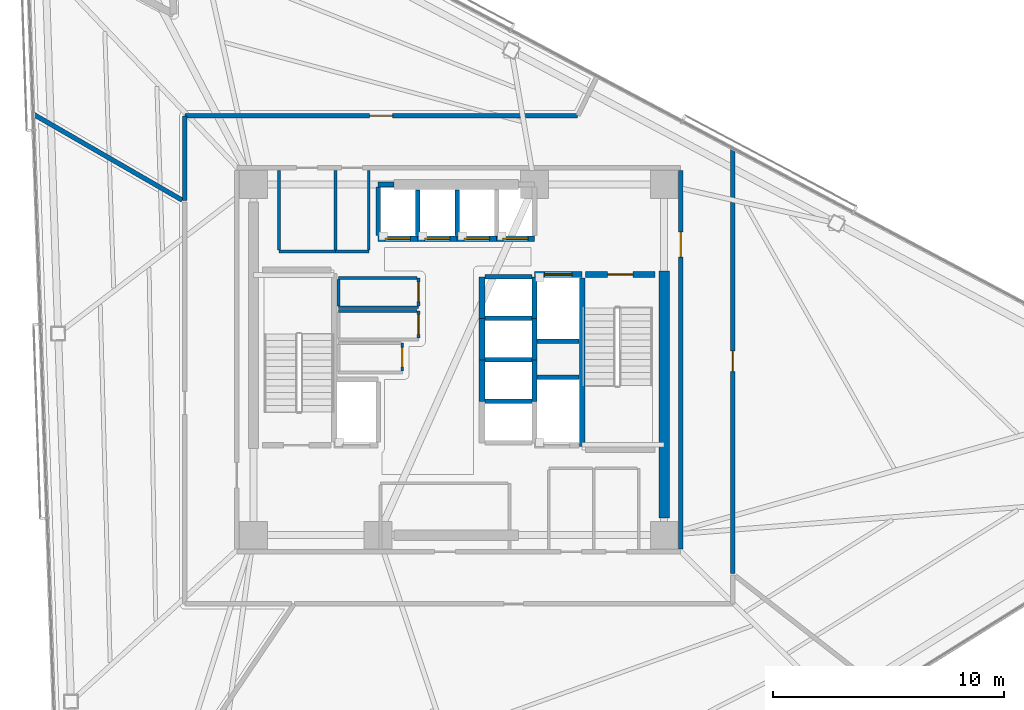
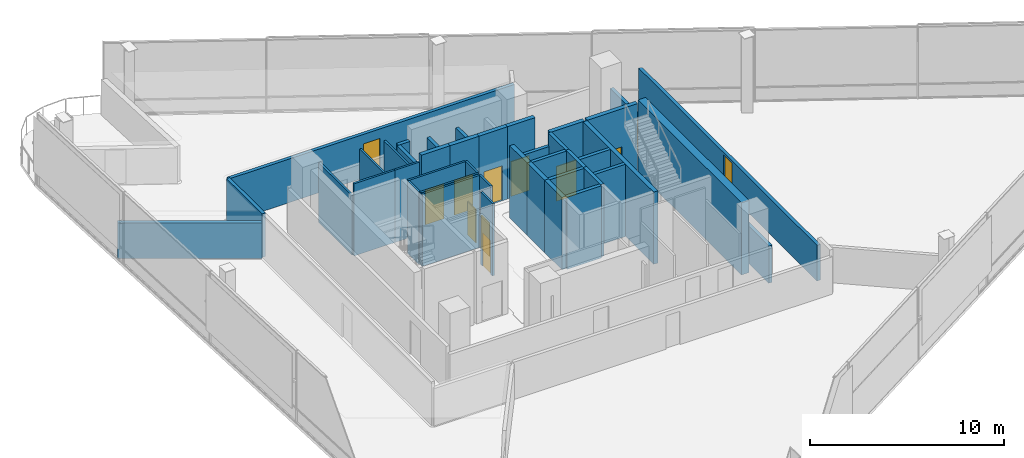
# One storey, part 13 of 19: 41 walls, 12 doors, 12 openings.
"""IFC4 building model written with IfcOpenShell, lengths in metres."""

from ifc_helpers import new_model, si_unit, direction, frame, frame_2d, origin, place, context, subcontext, project, spatial, rectangle, extrude, material, layer, layer_set, type_object, element, fill, save


model = new_model("IFC4")

# Units and contexts
model_context = context("Model", 3, precision=1e-05, world=origin(), true_north=direction((0.0, 1.0)))
body_context = subcontext(model_context, "Body", "Model", "MODEL_VIEW")
ifc_project = project(units=[si_unit("LENGTHUNIT", "METRE"), si_unit("AREAUNIT", "SQUARE_METRE"), si_unit("VOLUMEUNIT", "CUBIC_METRE"), si_unit("PLANEANGLEUNIT", "RADIAN"), si_unit("MASSUNIT", "GRAM", prefix="KILO")], contexts=[model_context])

# Site, building, storey
site_placement = place(None, origin())
site = spatial("IfcSite", under=ifc_project, at=site_placement, CompositionType="ELEMENT")
building_placement = place(site_placement, origin())
building = spatial("IfcBuilding", under=site, at=building_placement, Name="Tharavind Bronze Gate", CompositionType="ELEMENT")
storey_placement = place(building_placement, frame((0.0, 0.0, 160.39990234375)))
storey = spatial("IfcBuildingStorey", under=building, at=storey_placement, Name="L41", CompositionType="ELEMENT", Elevation=160.39990234375)

# Wall, opening, door
ifc_material_1 = material(Name="Aerated Concrete Block", Category="concrete")
ifc_layer_1 = layer(ifc_material_1, 0.199951171875)
ifc_layer_set_1 = layer_set([ifc_layer_1], Name="Aerated Concrete Block")
wall_type_1 = type_object("IfcWallType", Name="FIRE RATED PARTITION 200", PredefinedType="PARTITIONING", material=ifc_layer_set_1)
wall_1_placement = place(storey_placement, frame((9.6201171875, -8.199951171875, 0.0), z_axis=(0.0, 0.0, 1.0), x_axis=(0.0, 1.0, 0.0)))
wall_1 = element("IfcWall", 1, at=wall_1_placement, inside=storey, type_object=wall_type_1, Name="L41 east core corridor wall", PredefinedType="PARTITIONING", context=body_context, shape_type="SweptSolid", body=[
    extrude(rectangle(XDim=16.39990234375, YDim=0.199951171875, at=frame_2d((8.199951171875, 0.0))), origin(), (0.0, 0.0, 1.0), 2.35009765625),
])
opening_1_placement = place(wall_1_placement, frame((12.64990234375, 0.0, 0.0)))
opening_1 = element("IfcOpeningElement", 2, at=opening_1_placement, cuts=wall_1, Name="Opening ID01", PredefinedType="OPENING", context=body_context, shape_type="SweptSolid", body=[
    extrude(rectangle(XDim=1.10009765625, YDim=2.14990234375, at=frame_2d((0.550048828125, 1.074951171875))), frame((0.0, 0.11009765625, 0.0), z_axis=(0.0, -1.0, 0.0), x_axis=(1.0, 0.0, 0.0)), (0.0, 0.0, 1.0), 0.219951171875),
])
ifc_material_2 = material(Name="Fire-Rated Steel", Category="steel")
door_type_1 = type_object("IfcDoorType", Name="STAIR CORE FIRE DOOR 1100X2150", OperationType="SINGLE_SWING_LEFT", PredefinedType="DOOR", material=ifc_material_2)
door_1_placement = place(opening_1_placement, frame((1.10009765625, 0.0, 0.0), z_axis=(0.0, 0.0, 1.0), x_axis=(-1.0, 0.0, 0.0)))
door_1 = element("IfcDoor", 3, at=door_1_placement, inside=storey, type_object=door_type_1, Name="L41 north east stair lobby fire door", OperationType="SINGLE_SWING_LEFT", OverallHeight=2.14990234375, OverallWidth=1.10009765625, PredefinedType="DOOR", context=body_context, shape_type="SweptSolid", body=[
    extrude(rectangle(XDim=1.10009765625, YDim=2.14990234375, at=frame_2d((0.550048828125, 1.074951171875))), frame((0.0, 0.02490234375, 0.0), z_axis=(0.0, -1.0, 0.0), x_axis=(1.0, 0.0, 0.0)), (0.0, 0.0, 1.0), 0.050048828125),
])
fill(opening_1, door_1)

wall_2_placement = place(storey_placement, frame((5.14453125, 10.580078125, 0.0), z_axis=(0.0, 0.0, 1.0), x_axis=(-1.0, 0.0, 0.0)))
wall_2 = element("IfcWall", 4, at=wall_2_placement, inside=storey, type_object=wall_type_1, Name="L41 Innovation Maker Lab partition", PredefinedType="PARTITIONING", context=body_context, shape_type="SweptSolid", body=[
    extrude(rectangle(XDim=17.02392578125, YDim=0.199951171875, at=frame_2d((8.511962890625, 0.0))), origin(), (0.0, 0.0, 1.0), 2.75),
])
opening_2_placement = place(wall_2_placement, frame((8.011962890625, 0.0, 0.0)))
opening_2 = element("IfcOpeningElement", 5, at=opening_2_placement, cuts=wall_2, Name="Opening ID04", PredefinedType="OPENING", context=body_context, shape_type="SweptSolid", body=[
    extrude(rectangle(XDim=1.0, YDim=2.14990234375, at=frame_2d((0.5, 1.074951171875))), frame((0.0, 0.11009765625, 0.0), z_axis=(0.0, -1.0, 0.0), x_axis=(1.0, 0.0, 0.0)), (0.0, 0.0, 1.0), 0.219951171875),
])
ifc_material_3 = material(Name="Bronze Framed Acoustic Timber", Category="wood")
door_type_2 = type_object("IfcDoorType", Name="OFFICE TENANCY DOOR 1000X2150", OperationType="SINGLE_SWING_RIGHT", PredefinedType="DOOR", material=ifc_material_3)
door_2_placement = place(opening_2_placement, origin())
door_2 = element("IfcDoor", 6, at=door_2_placement, inside=storey, type_object=door_type_2, Name="L41 Innovation Maker Lab door", OperationType="SINGLE_SWING_RIGHT", OverallHeight=2.14990234375, OverallWidth=1.0, PredefinedType="DOOR", context=body_context, shape_type="SweptSolid", body=[
    extrude(rectangle(XDim=1.0, YDim=2.14990234375, at=frame_2d((0.5, 1.074951171875))), frame((0.0, 0.02490234375, 0.0), z_axis=(0.0, -1.0, 0.0), x_axis=(1.0, 0.0, 0.0)), (0.0, 0.0, 1.0), 0.050048828125),
])
fill(opening_2, door_2)

# Walls
wall_3_placement = place(storey_placement, frame((-11.8798828125, 10.579345703125, 0.0), z_axis=(0.0, 0.0, 1.0), x_axis=(0.0, -1.0, 0.0)))
element("IfcWall", 7, at=wall_3_placement, inside=storey, type_object=wall_type_1, Name="L41 Innovation Maker Lab partition", PredefinedType="PARTITIONING", context=body_context, shape_type="SweptSolid", body=[
    extrude(rectangle(XDim=3.67724609375, YDim=0.199951171875, at=frame_2d((1.838623046875, 0.0))), origin(), (0.0, 0.0, 1.0), 2.75),
])
wall_4_placement = place(storey_placement, frame((-11.985107421875, 6.919677734375, 0.0), z_axis=(0.0, 0.0, 1.0), x_axis=(-0.866026817719, 0.499997550986, 0.0)))
element("IfcWall", 8, at=wall_4_placement, inside=storey, type_object=wall_type_1, Name="L41 Innovation Maker Lab partition", PredefinedType="PARTITIONING", context=body_context, shape_type="SweptSolid", body=[
    extrude(rectangle(XDim=7.45166015625, YDim=0.199951171875, at=frame_2d((3.725830078125, 0.0))), origin(), (0.0, 0.0, 1.0), 2.25),
])

# Wall, opening, door
wall_5_placement = place(storey_placement, frame((11.8798828125, -9.26953125, 0.0), z_axis=(0.0, 0.0, 1.0), x_axis=(0.0, 1.0, 0.0)))
wall_5 = element("IfcWall", 9, at=wall_5_placement, inside=storey, type_object=wall_type_1, Name="L41 Barista Tea Pantry partition", PredefinedType="PARTITIONING", context=body_context, shape_type="SweptSolid", body=[
    extrude(rectangle(XDim=18.42578125, YDim=0.199951171875, at=frame_2d((9.212890625, 0.0))), origin(), (0.0, 0.0, 1.0), 2.25),
])
opening_3_placement = place(wall_5_placement, frame((8.762939453125, 0.0, 0.0)))
opening_3 = element("IfcOpeningElement", 10, at=opening_3_placement, cuts=wall_5, Name="Opening ID07", PredefinedType="OPENING", context=body_context, shape_type="SweptSolid", body=[
    extrude(rectangle(XDim=0.89990234375, YDim=2.10009765625, at=frame_2d((0.449951171875, 1.050048828125))), frame((0.0, 0.11009765625, 0.0), z_axis=(0.0, -1.0, 0.0), x_axis=(1.0, 0.0, 0.0)), (0.0, 0.0, 1.0), 0.219951171875),
])
ifc_material_4 = material(Name="Galvanised Fire Steel", Category="steel")
door_type_3 = type_object("IfcDoorType", Name="PLANT AND RISER FIRE DOOR 900X2100", OperationType="SINGLE_SWING_LEFT", PredefinedType="DOOR", material=ifc_material_4)
door_3_placement = place(opening_3_placement, origin())
door_3 = element("IfcDoor", 11, at=door_3_placement, inside=storey, type_object=door_type_3, Name="L41 Barista Tea Pantry door", OperationType="SINGLE_SWING_LEFT", OverallHeight=2.10009765625, OverallWidth=0.89990234375, PredefinedType="DOOR", context=body_context, shape_type="SweptSolid", body=[
    extrude(rectangle(XDim=0.89990234375, YDim=2.10009765625, at=frame_2d((0.449951171875, 1.050048828125))), frame((0.0, 0.02490234375, 0.0), z_axis=(0.0, -1.0, 0.0), x_axis=(1.0, 0.0, 0.0)), (0.0, 0.0, 1.0), 0.050048828125),
])
fill(opening_3, door_3)

# Wall
ifc_material_5 = material(Name="Metal Stud Gypsum Partition", Category="gypsum")
ifc_layer_2 = layer(ifc_material_5, 0.1201171875)
ifc_layer_set_2 = layer_set([ifc_layer_2], Name="Metal Stud Gypsum Partition")
wall_type_2 = type_object("IfcWallType", Name="INTERIOR PARTITION WALL 120", PredefinedType="PARTITIONING", material=ifc_layer_set_2)
wall_6_placement = place(storey_placement, frame((-5.219970703125, 2.280029296875, 0.0), z_axis=(0.0, 0.0, 1.0), x_axis=(1.0, 0.0, 0.0)))
element("IfcWall", 12, at=wall_6_placement, inside=storey, type_object=wall_type_2, Name="L41 Housekeeping Linen Store partition 1", PredefinedType="PARTITIONING", context=body_context, shape_type="SweptSolid", body=[
    extrude(rectangle(XDim=3.469970703125, YDim=0.1201171875, at=frame_2d((1.73486328125, 0.0))), origin(), (0.0, 0.0, 1.0), 4.55517578125),
])

# Wall, opening, door
wall_7_placement = place(storey_placement, frame((-1.75, 2.344970703125, 0.0), z_axis=(0.0, 0.0, 1.0), x_axis=(0.0, 1.0, 0.0)))
wall_7 = element("IfcWall", 13, at=wall_7_placement, inside=storey, type_object=wall_type_2, Name="L41 Housekeeping Linen Store partition 2", PredefinedType="PARTITIONING", context=body_context, shape_type="SweptSolid", body=[
    extrude(rectangle(XDim=1.205078125, YDim=0.1201171875, at=frame_2d((0.6025390625, 0.0))), origin(), (0.0, 0.0, 1.0), 4.55517578125),
])
opening_4_placement = place(wall_7_placement, frame((0.177001953125, 0.0, 0.0)))
opening_4 = element("IfcOpeningElement", 14, at=opening_4_placement, cuts=wall_7, Name="Opening ID06", PredefinedType="OPENING", context=body_context, shape_type="SweptSolid", body=[
    extrude(rectangle(XDim=0.85009765625, YDim=2.10009765625, at=frame_2d((0.425048828125, 1.050048828125))), frame((0.0, 0.07005859375, 0.0), z_axis=(0.0, -1.0, 0.0), x_axis=(1.0, 0.0, 0.0)), (0.0, 0.0, 1.0), 0.1401171875),
])
ifc_material_6 = material(Name="Moisture-Resistant Timber", Category="wood")
door_type_4 = type_object("IfcDoorType", Name="BATHROOM PRIVACY DOOR 850X2100", OperationType="SINGLE_SWING_RIGHT", PredefinedType="DOOR", material=ifc_material_6)
door_4_placement = place(opening_4_placement, frame((0.85009765625, 0.0, 0.0), z_axis=(0.0, 0.0, 1.0), x_axis=(-1.0, 0.0, 0.0)))
door_4 = element("IfcDoor", 15, at=door_4_placement, inside=storey, type_object=door_type_4, Name="L41 Housekeeping Linen Store door", OperationType="SINGLE_SWING_RIGHT", OverallHeight=2.10009765625, OverallWidth=0.85009765625, PredefinedType="DOOR", context=body_context, shape_type="SweptSolid", body=[
    extrude(rectangle(XDim=0.85009765625, YDim=2.10009765625, at=frame_2d((0.425048828125, 1.050048828125))), frame((0.0, 0.02490234375, 0.0), z_axis=(0.0, -1.0, 0.0), x_axis=(1.0, 0.0, 0.0)), (0.0, 0.0, 1.0), 0.050048828125),
])
fill(opening_4, door_4)

# Walls
wall_8_placement = place(storey_placement, frame((-1.81494140625, 3.550048828125, 0.0), z_axis=(0.0, 0.0, 1.0), x_axis=(-1.0, 0.0, 0.0)))
element("IfcWall", 16, at=wall_8_placement, inside=storey, type_object=wall_type_2, Name="L41 Housekeeping Linen Store partition 3", PredefinedType="PARTITIONING", context=body_context, shape_type="SweptSolid", body=[
    extrude(rectangle(XDim=3.405029296875, YDim=0.1201171875, at=frame_2d((1.70263671875, 0.0))), origin(), (0.0, 0.0, 1.0), 4.55517578125),
])
wall_9_placement = place(storey_placement, frame((-5.219970703125, 3.485107421875, 0.0), z_axis=(0.0, 0.0, 1.0), x_axis=(0.0, -1.0, 0.0)))
element("IfcWall", 17, at=wall_9_placement, inside=storey, type_object=wall_type_2, Name="L41 Housekeeping Linen Store partition 4", PredefinedType="PARTITIONING", context=body_context, shape_type="SweptSolid", body=[
    extrude(rectangle(XDim=1.14013671875, YDim=0.1201171875, at=frame_2d((0.570068359375, 0.0))), origin(), (0.0, 0.0, 1.0), 4.55517578125),
])

# Wall, opening, door
wall_10_placement = place(storey_placement, frame((-1.75, 0.945068359375, 0.0), z_axis=(0.0, 0.0, 1.0), x_axis=(0.0, 1.0, 0.0)))
wall_10 = element("IfcWall", 18, at=wall_10_placement, inside=storey, type_object=wall_type_2, Name="L41 Comms Data Room partition 2", PredefinedType="PARTITIONING", context=body_context, shape_type="SweptSolid", body=[
    extrude(rectangle(XDim=1.175048828125, YDim=0.1201171875, at=frame_2d((0.58740234375, 0.0))), origin(), (0.0, 0.0, 1.0), 4.55517578125),
])
opening_5_placement = place(wall_10_placement, frame((0.1630859375, 0.0, 0.0)))
opening_5 = element("IfcOpeningElement", 19, at=opening_5_placement, cuts=wall_10, Name="Opening ID06", PredefinedType="OPENING", context=body_context, shape_type="SweptSolid", body=[
    extrude(rectangle(XDim=0.85009765625, YDim=2.10009765625, at=frame_2d((0.425048828125, 1.050048828125))), frame((0.0, 0.07005859375, 0.0), z_axis=(0.0, -1.0, 0.0), x_axis=(1.0, 0.0, 0.0)), (0.0, 0.0, 1.0), 0.1401171875),
])
door_5_placement = place(opening_5_placement, frame((0.85009765625, 0.0, 0.0), z_axis=(0.0, 0.0, 1.0), x_axis=(-1.0, 0.0, 0.0)))
door_5 = element("IfcDoor", 20, at=door_5_placement, inside=storey, type_object=door_type_4, Name="L41 Comms Data Room door", OperationType="SINGLE_SWING_RIGHT", OverallHeight=2.10009765625, OverallWidth=0.85009765625, PredefinedType="DOOR", context=body_context, shape_type="SweptSolid", body=[
    extrude(rectangle(XDim=0.85009765625, YDim=2.10009765625, at=frame_2d((0.425048828125, 1.050048828125))), frame((0.0, 0.02490234375, 0.0), z_axis=(0.0, -1.0, 0.0), x_axis=(1.0, 0.0, 0.0)), (0.0, 0.0, 1.0), 0.050048828125),
])
fill(opening_5, door_5)

# Wall
wall_11_placement = place(storey_placement, frame((-1.81494140625, 2.1201171875, 0.0), z_axis=(0.0, 0.0, 1.0), x_axis=(-1.0, 0.0, 0.0)))
element("IfcWall", 21, at=wall_11_placement, inside=storey, type_object=wall_type_2, Name="L41 Comms Data Room partition 3", PredefinedType="PARTITIONING", context=body_context, shape_type="SweptSolid", body=[
    extrude(rectangle(XDim=3.405029296875, YDim=0.1201171875, at=frame_2d((1.70263671875, 0.0))), origin(), (0.0, 0.0, 1.0), 4.55517578125),
])

# Wall, opening, door
wall_12_placement = place(storey_placement, frame((-2.449951171875, -0.485107421875, 0.0), z_axis=(0.0, 0.0, 1.0), x_axis=(0.0, 1.0, 0.0)))
wall_12 = element("IfcWall", 22, at=wall_12_placement, inside=storey, type_object=wall_type_2, Name="L41 Electrical Metering Store partition 2", PredefinedType="PARTITIONING", context=body_context, shape_type="SweptSolid", body=[
    extrude(rectangle(XDim=1.205078125, YDim=0.1201171875, at=frame_2d((0.6025390625, 0.0))), origin(), (0.0, 0.0, 1.0), 4.55517578125),
])
opening_6_placement = place(wall_12_placement, frame((0.177978515625, 0.0, 0.0)))
opening_6 = element("IfcOpeningElement", 23, at=opening_6_placement, cuts=wall_12, Name="Opening ID06", PredefinedType="OPENING", context=body_context, shape_type="SweptSolid", body=[
    extrude(rectangle(XDim=0.85009765625, YDim=2.10009765625, at=frame_2d((0.425048828125, 1.050048828125))), frame((0.0, 0.07005859375, 0.0), z_axis=(0.0, -1.0, 0.0), x_axis=(1.0, 0.0, 0.0)), (0.0, 0.0, 1.0), 0.1401171875),
])
door_6_placement = place(opening_6_placement, frame((0.85009765625, 0.0, 0.0), z_axis=(0.0, 0.0, 1.0), x_axis=(-1.0, 0.0, 0.0)))
door_6 = element("IfcDoor", 24, at=door_6_placement, inside=storey, type_object=door_type_4, Name="L41 Electrical Metering Store door", OperationType="SINGLE_SWING_RIGHT", OverallHeight=2.10009765625, OverallWidth=0.85009765625, PredefinedType="DOOR", context=body_context, shape_type="SweptSolid", body=[
    extrude(rectangle(XDim=0.85009765625, YDim=2.10009765625, at=frame_2d((0.425048828125, 1.050048828125))), frame((0.0, 0.02490234375, 0.0), z_axis=(0.0, -1.0, 0.0), x_axis=(1.0, 0.0, 0.0)), (0.0, 0.0, 1.0), 0.050048828125),
])
fill(opening_6, door_6)

# Walls
wall_13_placement = place(storey_placement, frame((-7.800048828125, 4.699951171875, 0.0), z_axis=(0.0, 0.0, 1.0), x_axis=(1.0, 0.0, 0.0)))
element("IfcWall", 25, at=wall_13_placement, inside=storey, type_object=wall_type_2, Name="L41 Electrical Metering Room partition 1", PredefinedType="PARTITIONING", context=body_context, shape_type="SweptSolid", body=[
    extrude(rectangle(XDim=2.449951171875, YDim=0.1201171875, at=frame_2d((1.22509765625, 0.0))), origin(), (0.0, 0.0, 1.0), 4.55517578125),
])
for number, where, z_axis, x_axis, name in (
    (26, (-5.35009765625, 4.764892578125, 0.0), (0.0, 0.0, 1.0), (0.0, 1.0, 0.0), "L41 Electrical Metering Room partition 2"),
    (27, (-7.800048828125, 8.215087890625, 0.0), (0.0, 0.0, 1.0), (0.0, -1.0, 0.0), "L41 Electrical Metering Room partition 4"),
):
    element("IfcWall", number, at=place(storey_placement, frame(where, z_axis=z_axis, x_axis=x_axis)), inside=storey, type_object=wall_type_2, Name=name, PredefinedType="PARTITIONING", context=body_context, shape_type="SweptSolid", body=[
        extrude(rectangle(XDim=3.4501953125, YDim=0.1201171875, at=frame_2d((1.72509765625, 0.0))), origin(), (0.0, 0.0, 1.0), 3.75),
    ])
wall_14_placement = place(storey_placement, frame((-5.35009765625, 4.699951171875, 0.0), z_axis=(0.0, 0.0, 1.0), x_axis=(1.0, 0.0, 0.0)))
element("IfcWall", 28, at=wall_14_placement, inside=storey, type_object=wall_type_2, Name="L41 Linen Cupboard partition 1", PredefinedType="PARTITIONING", context=body_context, shape_type="SweptSolid", body=[
    extrude(rectangle(XDim=1.4501953125, YDim=0.1201171875, at=frame_2d((0.72509765625, 0.0))), origin(), (0.0, 0.0, 1.0), 4.55517578125),
])
wall_15_placement = place(storey_placement, frame((-3.89990234375, 4.764892578125, 0.0), z_axis=(0.0, 0.0, 1.0), x_axis=(0.0, 1.0, 0.0)))
element("IfcWall", 29, at=wall_15_placement, inside=storey, type_object=wall_type_2, Name="L41 Linen Cupboard partition 2", PredefinedType="PARTITIONING", context=body_context, shape_type="SweptSolid", body=[
    extrude(rectangle(XDim=3.4501953125, YDim=0.1201171875, at=frame_2d((1.72509765625, 0.0))), origin(), (0.0, 0.0, 1.0), 3.75),
])
ifc_material_7 = material(Name="Concrete C50/60", Category="concrete")
ifc_layer_3 = layer(ifc_material_7, 0.25)
ifc_layer_set_3 = layer_set([ifc_layer_3], Name="Concrete C50/60")
wall_type_3 = type_object("IfcWallType", Name="RC CORE SHEAR WALL 250", PredefinedType="SHEAR", material=ifc_layer_set_3)
wall_16_placement = place(storey_placement, frame((5.35009765625, -3.75, 0.0), z_axis=(0.0, 0.0, 1.0), x_axis=(0.0, 1.0, 0.0)))
element("IfcWall", 30, at=wall_16_placement, inside=storey, type_object=wall_type_3, Name="L41 ST2 shaft west wall", PredefinedType="SHEAR", context=body_context, shape_type="SweptSolid", body=[
    extrude(rectangle(XDim=7.300048828125, YDim=0.25, at=frame_2d((3.64990234375, 0.0))), origin(), (0.0, 0.0, 1.0), 4.55517578125),
])

# Wall, opening, door
wall_17_placement = place(storey_placement, frame((5.5, 3.699951171875, 0.0), z_axis=(0.0, 0.0, 1.0), x_axis=(1.0, 0.0, 0.0)))
wall_17 = element("IfcWall", 31, at=wall_17_placement, inside=storey, type_object=wall_type_3, Name="L41 ST2 shaft north wall", PredefinedType="SHEAR", context=body_context, shape_type="SweptSolid", body=[
    extrude(rectangle(XDim=3.0, YDim=0.25, at=frame_2d((1.5, 0.0))), origin(), (0.0, 0.0, 1.0), 4.55517578125),
])
opening_7_placement = place(wall_17_placement, frame((0.949951171875, 0.0, 0.0)))
opening_7 = element("IfcOpeningElement", 32, at=opening_7_placement, cuts=wall_17, Name="Opening ID01", PredefinedType="OPENING", context=body_context, shape_type="SweptSolid", body=[
    extrude(rectangle(XDim=1.10009765625, YDim=2.14990234375, at=frame_2d((0.550048828125, 1.074951171875))), frame((0.0, 0.135, 0.0), z_axis=(0.0, -1.0, 0.0), x_axis=(1.0, 0.0, 0.0)), (0.0, 0.0, 1.0), 0.27),
])
door_7_placement = place(opening_7_placement, frame((1.10009765625, 0.0, 0.0), z_axis=(0.0, 0.0, 1.0), x_axis=(-1.0, 0.0, 0.0)))
door_7 = element("IfcDoor", 33, at=door_7_placement, inside=storey, type_object=door_type_1, Name="L41 exit stair ST2 fire door", OperationType="SINGLE_SWING_LEFT", OverallHeight=2.14990234375, OverallWidth=1.10009765625, PredefinedType="DOOR", context=body_context, shape_type="SweptSolid", body=[
    extrude(rectangle(XDim=1.10009765625, YDim=2.14990234375, at=frame_2d((0.550048828125, 1.074951171875))), frame((0.0, 0.02490234375, 0.0), z_axis=(0.0, -1.0, 0.0), x_axis=(1.0, 0.0, 0.0)), (0.0, 0.0, 1.0), 0.050048828125),
])
fill(opening_7, door_7)

wall_18_placement = place(storey_placement, frame((-3.5, 5.25, 0.0), z_axis=(0.0, 0.0, 1.0), x_axis=(1.0, 0.0, 0.0)))
wall_18 = element("IfcWall", 34, at=wall_18_placement, inside=storey, type_object=wall_type_3, Name="L41 lift PL5 shaft front wall", PredefinedType="SHEAR", context=body_context, shape_type="SweptSolid", body=[
    extrude(rectangle(XDim=1.71240234375, YDim=0.25, at=frame_2d((0.856201171875, 0.0))), origin(), (0.0, 0.0, 1.0), 4.55517578125),
])
opening_8_placement = place(wall_18_placement, frame((0.305908203125, 0.0, 0.0)))
opening_8 = element("IfcOpeningElement", 35, at=opening_8_placement, cuts=wall_18, Name="Opening LD01", PredefinedType="OPENING", context=body_context, shape_type="SweptSolid", body=[
    extrude(rectangle(XDim=1.10009765625, YDim=2.199951171875, at=frame_2d((0.550048828125, 1.10009765625))), frame((0.0, 0.135, 0.0), z_axis=(0.0, -1.0, 0.0), x_axis=(1.0, 0.0, 0.0)), (0.0, 0.0, 1.0), 0.27),
])
ifc_material_8 = material(Name="Brushed Bronze Stainless Steel", Category="steel")
door_type_5 = type_object("IfcDoorType", Name="LIFT LANDING SLIDING DOOR 1100X2200", OperationType="SLIDING_TO_LEFT", PredefinedType="DOOR", material=ifc_material_8)
door_8_placement = place(opening_8_placement, origin())
door_8 = element("IfcDoor", 36, at=door_8_placement, inside=storey, type_object=door_type_5, Name="L41 lift PL5 sliding landing door", OperationType="SLIDING_TO_LEFT", OverallHeight=2.199951171875, OverallWidth=1.10009765625, PredefinedType="DOOR", context=body_context, shape_type="SweptSolid", body=[
    extrude(rectangle(XDim=1.10009765625, YDim=2.199951171875, at=frame_2d((0.550048828125, 1.10009765625))), frame((0.0, 0.02490234375, 0.0), z_axis=(0.0, -1.0, 0.0), x_axis=(1.0, 0.0, 0.0)), (0.0, 0.0, 1.0), 0.050048828125),
])
fill(opening_8, door_8)

wall_19_placement = place(storey_placement, frame((-1.78759765625, 5.25, 0.0), z_axis=(0.0, 0.0, 1.0), x_axis=(1.0, 0.0, 0.0)))
wall_19 = element("IfcWall", 37, at=wall_19_placement, inside=storey, type_object=wall_type_3, Name="L41 lift PL6 shaft front wall", PredefinedType="SHEAR", context=body_context, shape_type="SweptSolid", body=[
    extrude(rectangle(XDim=1.712646484375, YDim=0.25, at=frame_2d((0.8564453125, 0.0))), origin(), (0.0, 0.0, 1.0), 4.55517578125),
])
opening_9_placement = place(wall_19_placement, frame((0.305908203125, 0.0, 0.0)))
opening_9 = element("IfcOpeningElement", 38, at=opening_9_placement, cuts=wall_19, Name="Opening LD01", PredefinedType="OPENING", context=body_context, shape_type="SweptSolid", body=[
    extrude(rectangle(XDim=1.10009765625, YDim=2.199951171875, at=frame_2d((0.550048828125, 1.10009765625))), frame((0.0, 0.135, 0.0), z_axis=(0.0, -1.0, 0.0), x_axis=(1.0, 0.0, 0.0)), (0.0, 0.0, 1.0), 0.27),
])
door_9_placement = place(opening_9_placement, origin())
door_9 = element("IfcDoor", 39, at=door_9_placement, inside=storey, type_object=door_type_5, Name="L41 lift PL6 sliding landing door", OperationType="SLIDING_TO_LEFT", OverallHeight=2.199951171875, OverallWidth=1.10009765625, PredefinedType="DOOR", context=body_context, shape_type="SweptSolid", body=[
    extrude(rectangle(XDim=1.10009765625, YDim=2.199951171875, at=frame_2d((0.550048828125, 1.10009765625))), frame((0.0, 0.02490234375, 0.0), z_axis=(0.0, -1.0, 0.0), x_axis=(1.0, 0.0, 0.0)), (0.0, 0.0, 1.0), 0.050048828125),
])
fill(opening_9, door_9)

wall_20_placement = place(storey_placement, frame((-0.074951171875, 5.25, 0.0), z_axis=(0.0, 0.0, 1.0), x_axis=(1.0, 0.0, 0.0)))
wall_20 = element("IfcWall", 40, at=wall_20_placement, inside=storey, type_object=wall_type_3, Name="L41 lift PL7 shaft front wall", PredefinedType="SHEAR", context=body_context, shape_type="SweptSolid", body=[
    extrude(rectangle(XDim=1.71240234375, YDim=0.25, at=frame_2d((0.856201171875, 0.0))), origin(), (0.0, 0.0, 1.0), 4.55517578125),
])
opening_10_placement = place(wall_20_placement, frame((0.305908203125, 0.0, 0.0)))
opening_10 = element("IfcOpeningElement", 41, at=opening_10_placement, cuts=wall_20, Name="Opening LD01", PredefinedType="OPENING", context=body_context, shape_type="SweptSolid", body=[
    extrude(rectangle(XDim=1.10009765625, YDim=2.199951171875, at=frame_2d((0.550048828125, 1.10009765625))), frame((0.0, 0.135, 0.0), z_axis=(0.0, -1.0, 0.0), x_axis=(1.0, 0.0, 0.0)), (0.0, 0.0, 1.0), 0.27),
])
door_10_placement = place(opening_10_placement, origin())
door_10 = element("IfcDoor", 42, at=door_10_placement, inside=storey, type_object=door_type_5, Name="L41 lift PL7 sliding landing door", OperationType="SLIDING_TO_LEFT", OverallHeight=2.199951171875, OverallWidth=1.10009765625, PredefinedType="DOOR", context=body_context, shape_type="SweptSolid", body=[
    extrude(rectangle(XDim=1.10009765625, YDim=2.199951171875, at=frame_2d((0.550048828125, 1.10009765625))), frame((0.0, 0.02490234375, 0.0), z_axis=(0.0, -1.0, 0.0), x_axis=(1.0, 0.0, 0.0)), (0.0, 0.0, 1.0), 0.050048828125),
])
fill(opening_10, door_10)

wall_21_placement = place(storey_placement, frame((1.637451171875, 5.25, 0.0), z_axis=(0.0, 0.0, 1.0), x_axis=(1.0, 0.0, 0.0)))
wall_21 = element("IfcWall", 43, at=wall_21_placement, inside=storey, type_object=wall_type_3, Name="L41 lift PL8 shaft front wall", PredefinedType="SHEAR", context=body_context, shape_type="SweptSolid", body=[
    extrude(rectangle(XDim=1.642578125, YDim=0.25, at=frame_2d((0.8212890625, 0.0))), origin(), (0.0, 0.0, 1.0), 4.55517578125),
])
opening_11_placement = place(wall_21_placement, frame((0.27099609375, 0.0, 0.0)))
opening_11 = element("IfcOpeningElement", 44, at=opening_11_placement, cuts=wall_21, Name="Opening LD01", PredefinedType="OPENING", context=body_context, shape_type="SweptSolid", body=[
    extrude(rectangle(XDim=1.10009765625, YDim=2.199951171875, at=frame_2d((0.550048828125, 1.10009765625))), frame((0.0, 0.135, 0.0), z_axis=(0.0, -1.0, 0.0), x_axis=(1.0, 0.0, 0.0)), (0.0, 0.0, 1.0), 0.27),
])
door_11_placement = place(opening_11_placement, origin())
door_11 = element("IfcDoor", 45, at=door_11_placement, inside=storey, type_object=door_type_5, Name="L41 lift PL8 sliding landing door", OperationType="SLIDING_TO_LEFT", OverallHeight=2.199951171875, OverallWidth=1.10009765625, PredefinedType="DOOR", context=body_context, shape_type="SweptSolid", body=[
    extrude(rectangle(XDim=1.10009765625, YDim=2.199951171875, at=frame_2d((0.550048828125, 1.10009765625))), frame((0.0, 0.02490234375, 0.0), z_axis=(0.0, -1.0, 0.0), x_axis=(1.0, 0.0, 0.0)), (0.0, 0.0, 1.0), 0.050048828125),
])
fill(opening_11, door_11)

# Walls
for number, where, z_axis, x_axis, name in (
    (46, (1.0, -1.800048828125, 0.0), (0.0, 0.0, 1.0), (0.0, 1.0, 0.0), "L41 lift PL10 shaft front wall"),
    (47, (1.0, 0.0, 0.0), (0.0, 0.0, 1.0), (0.0, 1.0, 0.0), "L41 lift PL11 shaft front wall"),
    (48, (1.0, 1.800048828125, 0.0), (0.0, 0.0, 1.0), (0.0, 1.0, 0.0), "L41 lift PL12 shaft front wall"),
):
    element("IfcWall", number, at=place(storey_placement, frame(where, z_axis=z_axis, x_axis=x_axis)), inside=storey, type_object=wall_type_3, Name=name, PredefinedType="SHEAR", context=body_context, shape_type="SweptSolid", body=[
        extrude(rectangle(XDim=1.800048828125, YDim=0.25, at=frame_2d((0.89990234375, 0.0))), origin(), (0.0, 0.0, 1.0), 4.55517578125),
    ])

# Wall, opening, door
wall_22_placement = place(storey_placement, frame((3.280029296875, 3.699951171875, 0.0), z_axis=(0.0, 0.0, 1.0), x_axis=(1.0, 0.0, 0.0)))
wall_22 = element("IfcWall", 49, at=wall_22_placement, inside=storey, type_object=wall_type_3, Name="L41 lift FFL2 shaft front wall", PredefinedType="SHEAR", context=body_context, shape_type="SweptSolid", body=[
    extrude(rectangle(XDim=2.070068359375, YDim=0.25, at=frame_2d((1.03515625, 0.0))), origin(), (0.0, 0.0, 1.0), 4.55517578125),
])
opening_12_placement = place(wall_22_placement, frame((0.43505859375, 0.0, 0.0)))
opening_12 = element("IfcOpeningElement", 50, at=opening_12_placement, cuts=wall_22, Name="Opening LD02", PredefinedType="OPENING", context=body_context, shape_type="SweptSolid", body=[
    extrude(rectangle(XDim=1.199951171875, YDim=2.199951171875, at=frame_2d((0.60009765625, 1.10009765625))), frame((0.0, 0.135, 0.0), z_axis=(0.0, -1.0, 0.0), x_axis=(1.0, 0.0, 0.0)), (0.0, 0.0, 1.0), 0.27),
])
ifc_material_9 = material(Name="Brushed Stainless Steel", Category="steel")
door_type_6 = type_object("IfcDoorType", Name="FIREFIGHTING LIFT LANDING DOOR 1200X2200", OperationType="SLIDING_TO_RIGHT", PredefinedType="DOOR", material=ifc_material_9)
door_12_placement = place(opening_12_placement, origin())
door_12 = element("IfcDoor", 51, at=door_12_placement, inside=storey, type_object=door_type_6, Name="L41 lift FFL2 sliding landing door", OperationType="SLIDING_TO_RIGHT", OverallHeight=2.199951171875, OverallWidth=1.199951171875, PredefinedType="DOOR", context=body_context, shape_type="SweptSolid", body=[
    extrude(rectangle(XDim=1.199951171875, YDim=2.199951171875, at=frame_2d((0.60009765625, 1.10009765625))), frame((0.0, 0.02490234375, 0.0), z_axis=(0.0, -1.0, 0.0), x_axis=(1.0, 0.0, 0.0)), (0.0, 0.0, 1.0), 0.050048828125),
])
fill(opening_12, door_12)

# Walls
ifc_material_10 = material(Name="Concrete C60/75", Category="concrete")
ifc_layer_4 = layer(ifc_material_10, 0.449951171875)
ifc_layer_set_4 = layer_set([ifc_layer_4], Name="Concrete C60/75")
wall_type_4 = type_object("IfcWallType", Name="RC CORE SHEAR WALL 450", PredefinedType="SHEAR", material=ifc_layer_set_4)
wall_23_placement = place(storey_placement, frame((8.89990234375, -6.85009765625, 0.0), z_axis=(0.0, 0.0, 1.0), x_axis=(0.0, 1.0, 0.0)))
element("IfcWall", 52, at=wall_23_placement, inside=storey, type_object=wall_type_4, Name="L41 east core shear wall", PredefinedType="SHEAR", context=body_context, shape_type="SweptSolid", body=[
    extrude(rectangle(XDim=10.7001953125, YDim=0.449951171875, at=frame_2d((5.35009765625, 0.0))), origin(), (0.0, 0.0, 1.0), 4.55517578125),
])
ifc_material_11 = material(Name="Concrete C40/50", Category="concrete")
ifc_layer_5 = layer(ifc_material_11, 0.199951171875)
ifc_layer_set_5 = layer_set([ifc_layer_5], Name="Concrete C40/50")
wall_type_5 = type_object("IfcWallType", Name="SHAFT ENCLOSURE WALL 200", PredefinedType="PARTITIONING", material=ifc_layer_set_5)
wall_24_placement = place(storey_placement, frame((-3.5, 7.60009765625, 0.0), z_axis=(0.0, 0.0, 1.0), x_axis=(1.0, 0.0, 0.0)))
element("IfcWall", 53, at=wall_24_placement, inside=storey, type_object=wall_type_5, Name="L41 lift PL5 shaft N enclosure wall", PredefinedType="PARTITIONING", context=body_context, shape_type="SweptSolid", body=[
    extrude(rectangle(XDim=0.699951171875, YDim=0.199951171875, at=frame_2d((0.35009765625, 0.0))), origin(), (0.0, 0.0, 1.0), 3.75),
])
wall_25_placement = place(storey_placement, frame((-3.5, 5.3798828125, 0.0), z_axis=(0.0, 0.0, 1.0), x_axis=(0.0, 1.0, 0.0)))
element("IfcWall", 54, at=wall_25_placement, inside=storey, type_object=wall_type_5, Name="L41 lift PL5 shaft W enclosure wall", PredefinedType="PARTITIONING", context=body_context, shape_type="SweptSolid", body=[
    extrude(rectangle(XDim=2.115234375, YDim=0.199951171875, at=frame_2d((1.0576171875, 0.0))), origin(), (0.0, 0.0, 1.0), 3.75),
])
for number, where, z_axis, x_axis, name in (
    (55, (-1.78759765625, 5.3798828125, 0.0), (0.0, 0.0, 1.0), (0.0, 1.0, 0.0), "L41 lift PL5 shaft E enclosure wall"),
    (56, (-0.074951171875, 5.3798828125, 0.0), (0.0, 0.0, 1.0), (0.0, 1.0, 0.0), "L41 lift PL6 shaft E enclosure wall"),
):
    element("IfcWall", number, at=place(storey_placement, frame(where, z_axis=z_axis, x_axis=x_axis)), inside=storey, type_object=wall_type_5, Name=name, PredefinedType="PARTITIONING", context=body_context, shape_type="SweptSolid", body=[
        extrude(rectangle(XDim=1.990234375, YDim=0.199951171875, at=frame_2d((0.9951171875, 0.0))), origin(), (0.0, 0.0, 1.0), 3.75),
    ])
wall_26_placement = place(storey_placement, frame((1.1298828125, -1.800048828125, 0.0), z_axis=(0.0, 0.0, 1.0), x_axis=(1.0, 0.0, 0.0)))
element("IfcWall", 57, at=wall_26_placement, inside=storey, type_object=wall_type_5, Name="L41 lift PL9 shaft N enclosure wall", PredefinedType="PARTITIONING", context=body_context, shape_type="SweptSolid", body=[
    extrude(rectangle(XDim=2.045166015625, YDim=0.199951171875, at=frame_2d((1.0224609375, 0.0))), origin(), (0.0, 0.0, 1.0), 4.55517578125),
])
wall_27_placement = place(storey_placement, frame((3.280029296875, -1.800048828125, 0.0), z_axis=(0.0, 0.0, 1.0), x_axis=(0.0, 1.0, 0.0)))
element("IfcWall", 58, at=wall_27_placement, inside=storey, type_object=wall_type_5, Name="L41 lift PL10 shaft E enclosure wall", PredefinedType="PARTITIONING", context=body_context, shape_type="SweptSolid", body=[
    extrude(rectangle(XDim=1.800048828125, YDim=0.199951171875, at=frame_2d((0.89990234375, 0.0))), origin(), (0.0, 0.0, 1.0), 4.55517578125),
])
wall_28_placement = place(storey_placement, frame((1.1298828125, 0.0, 0.0), z_axis=(0.0, 0.0, 1.0), x_axis=(1.0, 0.0, 0.0)))
element("IfcWall", 59, at=wall_28_placement, inside=storey, type_object=wall_type_5, Name="L41 lift PL10 shaft N enclosure wall", PredefinedType="PARTITIONING", context=body_context, shape_type="SweptSolid", body=[
    extrude(rectangle(XDim=2.045166015625, YDim=0.199951171875, at=frame_2d((1.0224609375, 0.0))), origin(), (0.0, 0.0, 1.0), 4.55517578125),
])
wall_29_placement = place(storey_placement, frame((3.280029296875, 0.0, 0.0), z_axis=(0.0, 0.0, 1.0), x_axis=(0.0, 1.0, 0.0)))
element("IfcWall", 60, at=wall_29_placement, inside=storey, type_object=wall_type_5, Name="L41 lift PL11 shaft E enclosure wall", PredefinedType="PARTITIONING", context=body_context, shape_type="SweptSolid", body=[
    extrude(rectangle(XDim=1.800048828125, YDim=0.199951171875, at=frame_2d((0.89990234375, 0.0))), origin(), (0.0, 0.0, 1.0), 4.55517578125),
])
wall_30_placement = place(storey_placement, frame((1.1298828125, 1.800048828125, 0.0), z_axis=(0.0, 0.0, 1.0), x_axis=(1.0, 0.0, 0.0)))
element("IfcWall", 61, at=wall_30_placement, inside=storey, type_object=wall_type_5, Name="L41 lift PL11 shaft N enclosure wall", PredefinedType="PARTITIONING", context=body_context, shape_type="SweptSolid", body=[
    extrude(rectangle(XDim=2.045166015625, YDim=0.199951171875, at=frame_2d((1.0224609375, 0.0))), origin(), (0.0, 0.0, 1.0), 4.55517578125),
])
wall_31_placement = place(storey_placement, frame((3.280029296875, 1.800048828125, 0.0), z_axis=(0.0, 0.0, 1.0), x_axis=(0.0, 1.0, 0.0)))
element("IfcWall", 62, at=wall_31_placement, inside=storey, type_object=wall_type_5, Name="L41 lift PL12 shaft E enclosure wall", PredefinedType="PARTITIONING", context=body_context, shape_type="SweptSolid", body=[
    extrude(rectangle(XDim=1.800048828125, YDim=0.199951171875, at=frame_2d((0.89990234375, 0.0))), origin(), (0.0, 0.0, 1.0), 4.55517578125),
])
wall_32_placement = place(storey_placement, frame((1.1298828125, 3.60009765625, 0.0), z_axis=(0.0, 0.0, 1.0), x_axis=(1.0, 0.0, 0.0)))
element("IfcWall", 63, at=wall_32_placement, inside=storey, type_object=wall_type_5, Name="L41 lift PL12 shaft N enclosure wall", PredefinedType="PARTITIONING", context=body_context, shape_type="SweptSolid", body=[
    extrude(rectangle(XDim=2.045166015625, YDim=0.199951171875, at=frame_2d((1.0224609375, 0.0))), origin(), (0.0, 0.0, 1.0), 3.75),
])
for number, where, z_axis, x_axis, name in (
    (64, (3.385009765625, 0.800048828125, 0.0), (0.0, 0.0, 1.0), (1.0, 0.0, 0.0), "L41 lift FFL2 shaft S enclosure wall"),
    (65, (3.385009765625, -0.75, 0.0), (0.0, 0.0, 1.0), (1.0, 0.0, 0.0), "L41 lift SVL1 shaft N enclosure wall"),
):
    element("IfcWall", number, at=place(storey_placement, frame(where, z_axis=z_axis, x_axis=x_axis)), inside=storey, type_object=wall_type_5, Name=name, PredefinedType="PARTITIONING", context=body_context, shape_type="SweptSolid", body=[
        extrude(rectangle(XDim=1.8349609375, YDim=0.199951171875, at=frame_2d((0.91748046875, 0.0))), origin(), (0.0, 0.0, 1.0), 4.55517578125),
    ])

save(model, "model.ifc")
